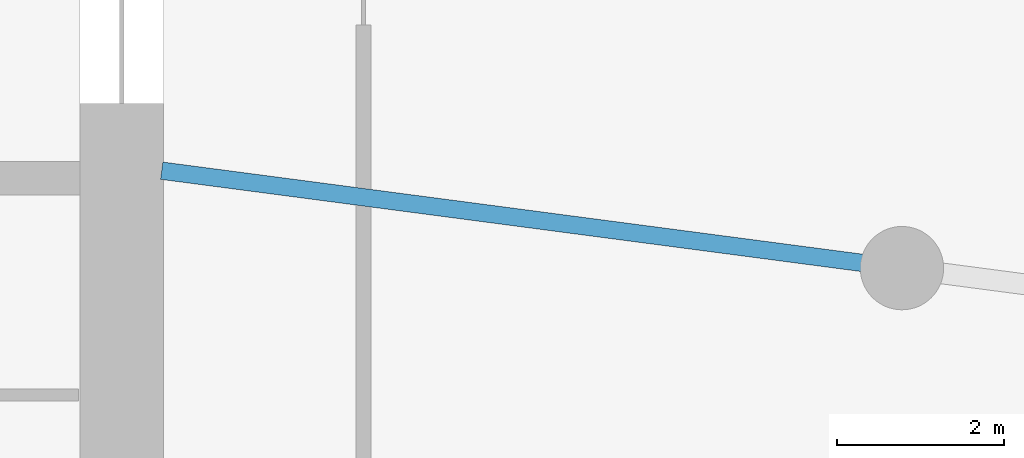
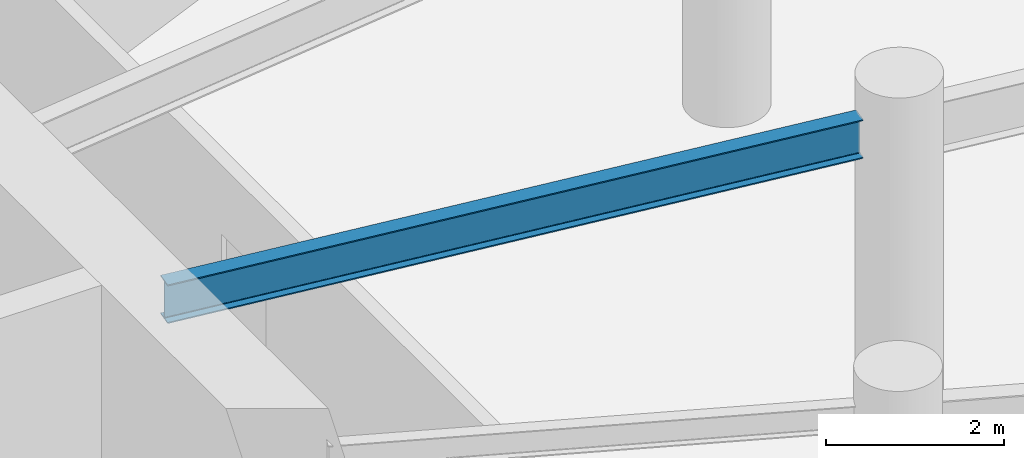
# One storey, part 5 of 18: 1 beam.
"""IFC4 building model written with IfcOpenShell, lengths in metres."""

from ifc_helpers import new_model, si_unit, direction, frame, origin, origin_2d, place, context, subcontext, project, spatial, i_section, extrude, source, transform, mapped, material, material_profile, profile_set, type_object, element, save


model = new_model("IFC4")

# Units and contexts
model_context = context("Model", 3, precision=1e-05, world=origin(), true_north=direction((0.0, 1.0)))
body_context = subcontext(model_context, "Body", "Model", "MODEL_VIEW")
ifc_project = project(units=[si_unit("LENGTHUNIT", "METRE"), si_unit("AREAUNIT", "SQUARE_METRE"), si_unit("VOLUMEUNIT", "CUBIC_METRE"), si_unit("PLANEANGLEUNIT", "RADIAN"), si_unit("MASSUNIT", "GRAM", prefix="KILO")], contexts=[model_context])

# Site, building, storey
site_placement = place(None, origin())
site = spatial("IfcSite", under=ifc_project, at=site_placement, CompositionType="ELEMENT")
building_placement = place(site_placement, origin())
building = spatial("IfcBuilding", under=site, at=building_placement, Name="Spindrift Exchange Tower", CompositionType="ELEMENT")
storey_placement = place(building_placement, frame((0.0, 0.0, 66.60009765625)))
storey = spatial("IfcBuildingStorey", under=building, at=storey_placement, Name="L15", CompositionType="ELEMENT", Elevation=66.60009765625)

# Beam
ifc_material = material(Name="Steel Grade 300", Category="steel")
ifc_material_profile = material_profile(ifc_material, i_section(OverallWidth=0.208984375, OverallDepth=0.532958984375, WebThickness=0.01025390625, FlangeThickness=0.015625, FilletRadius=0.013916015625, at=origin_2d()), Name="530UB92.4")
ifc_profile_set = profile_set([ifc_material_profile], Name="Steel Grade 300")
beam_type = type_object("IfcBeamType", Name="Floor Beam 530UB92.4 Steel Grade 300", PredefinedType="BEAM", material=ifc_profile_set)
shared_shape = source(origin(), body_context, "Body", "SweptSolid", [
    extrude(i_section(OverallWidth=0.208984375, OverallDepth=0.532958984375, WebThickness=0.01025390625, FlangeThickness=0.015625, FilletRadius=0.013916015625, at=origin_2d()), origin(), (0.0, 0.0, 1.0), 8.4794921875),
])
beam_placement = place(storey_placement, frame((64.980224609375, 46.291015625, 3.683349609375), z_axis=(0.991446551951, -0.13051335037, 0.0), x_axis=(0.13051335037, 0.991446551951, 0.0)))
element("IfcBeam", 1, at=beam_placement, inside=storey, type_object=beam_type, Name="L15 radial beam R24A", PredefinedType="BEAM", context=body_context, shape_type="MappedRepresentation", body=[
    mapped(shared_shape, transform((0.0, 0.0, 0.0), scale=1.0)),
])

save(model, "model.ifc")
